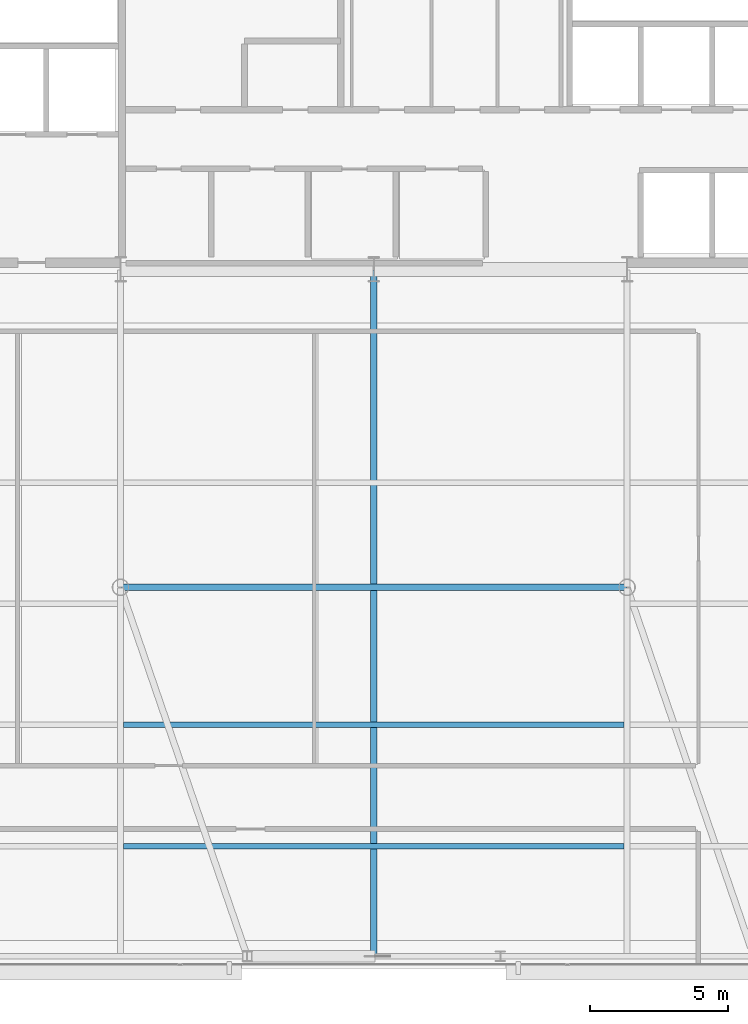
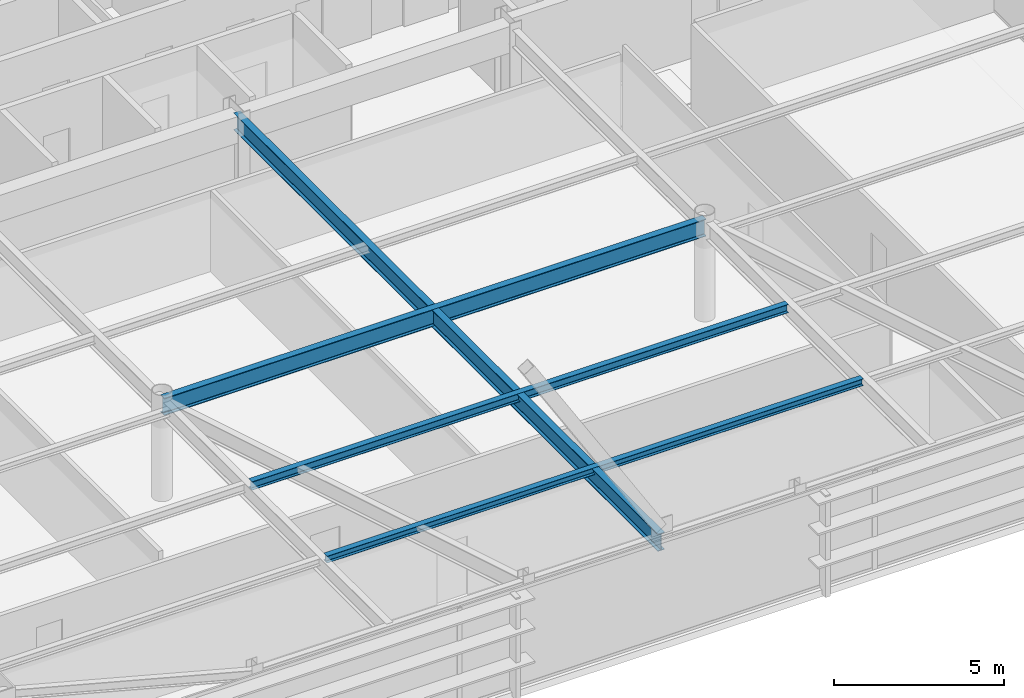
# One storey, part 9 of 27: 4 beams.
"""IFC4 building model written with IfcOpenShell, lengths in metres."""

from ifc_helpers import new_model, si_unit, direction, frame, origin, origin_2d, place, context, subcontext, project, spatial, i_section, extrude, source, transform, mapped, material, material_profile, profile_set, type_object, type_shapes, element, save


model = new_model("IFC4")

# Units and contexts
model_context = context("Model", 3, precision=1e-05, world=origin(), true_north=direction((0.0, 1.0)))
body_context = subcontext(model_context, "Body", "Model", "MODEL_VIEW")
ifc_project = project(units=[si_unit("LENGTHUNIT", "METRE"), si_unit("AREAUNIT", "SQUARE_METRE"), si_unit("VOLUMEUNIT", "CUBIC_METRE"), si_unit("PLANEANGLEUNIT", "RADIAN"), si_unit("MASSUNIT", "GRAM", prefix="KILO")], contexts=[model_context])

# Site, building, storey
site_placement = place(None, origin())
site = spatial("IfcSite", under=ifc_project, at=site_placement, CompositionType="ELEMENT")
building_placement = place(site_placement, origin())
building = spatial("IfcBuilding", under=site, at=building_placement, Name="Varnel Quay Broadcast Tower", CompositionType="ELEMENT")
storey_placement = place(building_placement, frame((0.0, 0.0, 203.60009765625)))
storey = spatial("IfcBuildingStorey", under=building, at=storey_placement, Name="L50", CompositionType="ELEMENT", Elevation=203.60009765625)

# Beams
ifc_material = material(Name="Structural Steel CSA G40.21 350W", Category="steel")
ifc_material_profile_1 = material_profile(ifc_material, i_section(OverallWidth=0.22998046875, OverallDepth=0.616943359375, WebThickness=0.01318359375, FlangeThickness=0.022216796875, FilletRadius=0.01611328125, at=origin_2d()), Name="W610X140")
ifc_profile_set_1 = profile_set([ifc_material_profile_1], Name="Structural Steel CSA G40.21 350W")
beam_type_1 = type_object("IfcBeamType", Name="Girder_W610X140", PredefinedType="BEAM", material=ifc_profile_set_1)
shared_shape_1 = source(origin(), body_context, "Body", "SweptSolid", [
    extrude(i_section(OverallWidth=0.22998046875, OverallDepth=0.616943359375, WebThickness=0.01318359375, FlangeThickness=0.022216796875, FilletRadius=0.01611328125, at=origin_2d()), origin(), (0.0, 0.0, 1.0), 18.35986328125),
])
beam_1_placement = place(storey_placement, frame((24.820068359375, 24.050048828125, 3.241455078125), z_axis=(1.0, 0.0, 0.0), x_axis=(0.0, 1.0, 0.0)))
element("IfcBeam", 1, at=beam_1_placement, inside=storey, type_object=beam_type_1, Name="L50 Interior Spine Girder", PredefinedType="BEAM", context=body_context, shape_type="MappedRepresentation", body=[
    mapped(shared_shape_1, transform((0.0, 0.0, 0.0), x_axis=(1.0, 0.0, 0.0), y_axis=(0.0, 1.0, 0.0), z_axis=(0.0, 0.0, 1.0), scale=1.0)),
])
shared_shape_2 = source(origin(), body_context, "Body", "SweptSolid", [
    extrude(i_section(OverallWidth=0.22998046875, OverallDepth=0.616943359375, WebThickness=0.01318359375, FlangeThickness=0.022216796875, FilletRadius=0.01611328125, at=origin_2d()), origin(), (0.0, 0.0, 1.0), 24.91015625),
])
type_shapes(beam_type_1, [shared_shape_1, shared_shape_2])
beam_2_placement = place(storey_placement, frame((34.0, 10.669921875, 3.241455078125), z_axis=(0.0, 1.0, 0.0), x_axis=(-1.0, 0.0, 0.0)))
element("IfcBeam", 2, at=beam_2_placement, inside=storey, type_object=beam_type_1, Name="L50 Central Bay Girder", PredefinedType="BEAM", context=body_context, shape_type="MappedRepresentation", body=[
    mapped(shared_shape_2, transform((0.0, 0.0, 0.0), x_axis=(1.0, 0.0, 0.0), y_axis=(0.0, 1.0, 0.0), z_axis=(0.0, 0.0, 1.0), scale=1.0)),
])
ifc_material_profile_2 = material_profile(ifc_material, i_section(OverallWidth=0.201904296875, OverallDepth=0.2470703125, WebThickness=0.00732421875, FlangeThickness=0.010986328125, FilletRadius=0.010986328125, at=origin_2d()), Name="W250X49")
ifc_profile_set_2 = profile_set([ifc_material_profile_2], Name="Structural Steel CSA G40.21 350W")
beam_type_2 = type_object("IfcBeamType", Name="Beam_W250X49", PredefinedType="JOIST", material=ifc_profile_set_2)
shared_shape_3 = source(origin(), body_context, "Body", "SweptSolid", [
    extrude(i_section(OverallWidth=0.201904296875, OverallDepth=0.2470703125, WebThickness=0.00732421875, FlangeThickness=0.010986328125, FilletRadius=0.010986328125, at=origin_2d()), origin(), (0.0, 0.0, 1.0), 18.18017578125),
])
type_shapes(beam_type_2, [shared_shape_3])
beam_3_placement = place(storey_placement, frame((24.909912109375, 14.64990234375, 3.426513671875), z_axis=(1.0, 0.0, 0.0), x_axis=(0.0, 1.0, 0.0)))
element("IfcBeam", 3, at=beam_3_placement, inside=storey, type_object=beam_type_2, Name="L50 Central Floor Joist 1", PredefinedType="JOIST", context=body_context, shape_type="MappedRepresentation", body=[
    mapped(shared_shape_3, transform((0.0, 0.0, 0.0), x_axis=(1.0, 0.0, 0.0), y_axis=(0.0, 1.0, 0.0), z_axis=(0.0, 0.0, 1.0), scale=1.0)),
])
ifc_material_profile_3 = material_profile(ifc_material, i_section(OverallWidth=0.202880859375, OverallDepth=0.302978515625, WebThickness=0.007568359375, FlangeThickness=0.01318359375, FilletRadius=0.011962890625, at=origin_2d()), Name="W310X60")
ifc_profile_set_3 = profile_set([ifc_material_profile_3], Name="Structural Steel CSA G40.21 350W")
beam_type_3 = type_object("IfcBeamType", Name="Beam_W310X60", PredefinedType="JOIST", material=ifc_profile_set_3)
shared_shape_4 = source(origin(), body_context, "Body", "SweptSolid", [
    extrude(i_section(OverallWidth=0.202880859375, OverallDepth=0.302978515625, WebThickness=0.007568359375, FlangeThickness=0.01318359375, FilletRadius=0.011962890625, at=origin_2d()), origin(), (0.0, 0.0, 1.0), 18.18017578125),
])
type_shapes(beam_type_3, [shared_shape_4])
beam_4_placement = place(storey_placement, frame((24.909912109375, 19.050048828125, 3.3984375), z_axis=(1.0, 0.0, 0.0), x_axis=(0.0, 1.0, 0.0)))
element("IfcBeam", 4, at=beam_4_placement, inside=storey, type_object=beam_type_3, Name="L50 Central Floor Joist 2", PredefinedType="JOIST", context=body_context, shape_type="MappedRepresentation", body=[
    mapped(shared_shape_4, transform((0.0, 0.0, 0.0), x_axis=(1.0, 0.0, 0.0), y_axis=(0.0, 1.0, 0.0), z_axis=(0.0, 0.0, 1.0), scale=1.0)),
])

save(model, "model.ifc")
